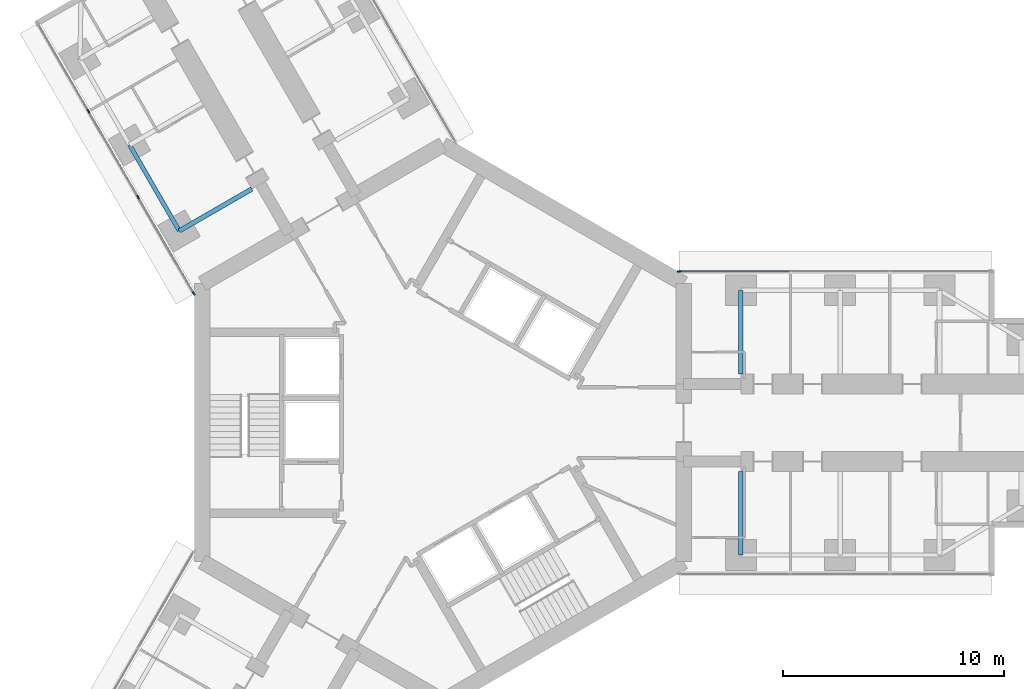
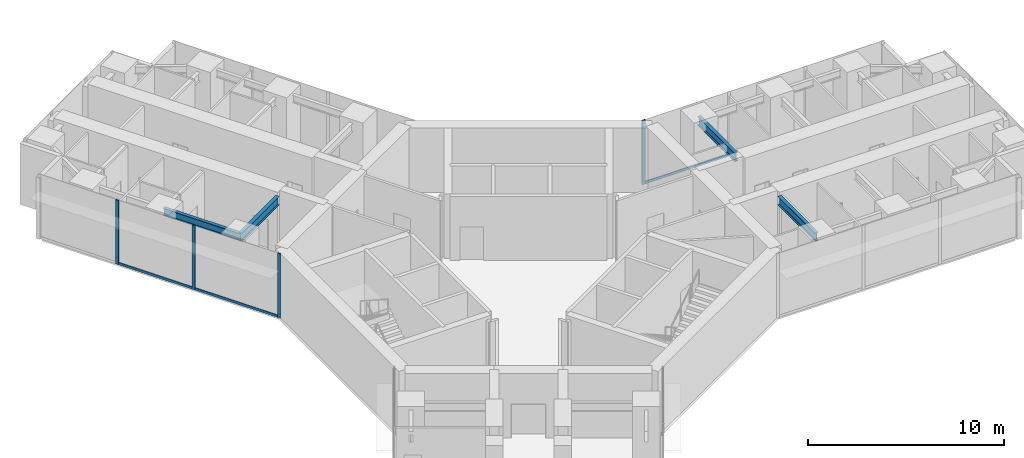
# One storey, part 6 of 25: 7 members, 4 beams, 2 elements without a shape of their own.
"""IFC4 building model written with IfcOpenShell, lengths in metres."""

from ifc_helpers import new_model, si_unit, direction, frame, origin, origin_2d, place, context, subcontext, project, spatial, rectangle, i_section, extrude, material, material_profile, profile_set, type_object, element, aggregate, save


model = new_model("IFC4")

# Units and contexts
model_context = context("Model", 3, precision=1e-05, world=origin(), true_north=direction((0.0, 1.0)))
body_context = subcontext(model_context, "Body", "Model", "MODEL_VIEW")
ifc_project = project(units=[si_unit("LENGTHUNIT", "METRE"), si_unit("AREAUNIT", "SQUARE_METRE"), si_unit("VOLUMEUNIT", "CUBIC_METRE"), si_unit("PLANEANGLEUNIT", "RADIAN"), si_unit("MASSUNIT", "GRAM", prefix="KILO")], contexts=[model_context])

# Site, building, storey
site_placement = place(None, origin())
site = spatial("IfcSite", under=ifc_project, at=site_placement, CompositionType="ELEMENT")
building_placement = place(site_placement, origin())
building = spatial("IfcBuilding", under=site, at=building_placement, Name="Upepo Twin Towers", CompositionType="ELEMENT")
storey_placement = place(building_placement, frame((0.0, 0.0, 76.5)))
storey = spatial("IfcBuildingStorey", under=building, at=storey_placement, Name="L18", CompositionType="ELEMENT", Elevation=76.5)

# Beams
ifc_material_1 = material(Name="Steel S355", Category="steel")
ifc_material_profile_1 = material_profile(ifc_material_1, i_section(OverallWidth=0.1904296875, OverallDepth=0.45703125, WebThickness=0.009033203125, FlangeThickness=0.014404296875, FilletRadius=0.01025390625, at=origin_2d()), Name="UB 457x191x74")
ifc_profile_set_1 = profile_set([ifc_material_profile_1], Name="Steel S355")
beam_type_1 = type_object("IfcBeamType", Name="Beam UB 457x191x74", PredefinedType="BEAM", material=ifc_profile_set_1)
beam_1_placement = place(storey_placement, frame((-11.946044921875, 8.69140625, 3.571533203125), z_axis=(-0.500013631625, 0.866017533419, 0.0), x_axis=(-0.866017533419, -0.500013631625, 0.0)))
element("IfcBeam", 1, at=beam_1_placement, inside=storey, type_object=beam_type_1, Name="T1 edge beam BL 13.5-18.0", PredefinedType="BEAM", context=body_context, shape_type="SweptSolid", body=[
    extrude(i_section(OverallWidth=0.1904296875, OverallDepth=0.45703125, WebThickness=0.009033203125, FlangeThickness=0.014404296875, FilletRadius=0.01025390625, at=origin_2d()), origin(), (0.0, 0.0, 1.0), 4.499755859375),
])
ifc_material_2 = material(Name="Steel S355", Category="steel")
ifc_material_profile_2 = material_profile(ifc_material_2, i_section(OverallWidth=0.209228515625, OverallDepth=0.533203125, WebThickness=0.010009765625, FlangeThickness=0.015625, FilletRadius=0.0126953125, at=origin_2d()), Name="UB 533x210x92")
ifc_profile_set_2 = profile_set([ifc_material_profile_2], Name="Steel S355")
beam_type_2 = type_object("IfcBeamType", Name="Beam UB 533x210x92", PredefinedType="BEAM", material=ifc_profile_set_2)
for number, where, z_axis, x_axis, name in (
    (2, (13.5, 6.0, 3.533447265625), (0.0, -1.0, 0.0), (1.0, 0.0, 0.0), "T1 girder AL at 13.5"),
    (3, (13.5, -6.0, 3.533447265625), (0.0, 1.0, 0.0), (-1.0, 0.0, 0.0), "T1 girder AR at 13.5"),
):
    element("IfcBeam", number, at=place(storey_placement, frame(where, z_axis=z_axis, x_axis=x_axis)), inside=storey, type_object=beam_type_2, Name=name, PredefinedType="BEAM", context=body_context, shape_type="SweptSolid", body=[
        extrude(i_section(OverallWidth=0.209228515625, OverallDepth=0.533203125, WebThickness=0.010009765625, FlangeThickness=0.015625, FilletRadius=0.0126953125, at=origin_2d()), origin(), (0.0, 0.0, 1.0), 3.800048828125),
    ])
beam_2_placement = place(storey_placement, frame((-11.946044921875, 8.69140625, 3.533447265625), z_axis=(0.866028304915, 0.499994975061, 0.0), x_axis=(-0.499994975061, 0.866028304915, 0.0)))
element("IfcBeam", 4, at=beam_2_placement, inside=storey, type_object=beam_type_2, Name="T1 girder BL at 13.5", PredefinedType="BEAM", context=body_context, shape_type="SweptSolid", body=[
    extrude(i_section(OverallWidth=0.209228515625, OverallDepth=0.533203125, WebThickness=0.010009765625, FlangeThickness=0.015625, FilletRadius=0.0126953125, at=origin_2d()), origin(), (0.0, 0.0, 1.0), 3.7998046875),
])

# Curtain wall, member
ifc_material_3 = material(Name="Aluminium and fritted glass", Category="aluminium")
curtain_wall_type = type_object("IfcCurtainWallType", Name="Tower curtain wall TW1, fritted glass", PredefinedType="NOTDEFINED", material=ifc_material_3)
curtain_wall_1_placement = place(storey_placement, origin())
curtain_wall_1 = element("IfcCurtainWall", 5, at=curtain_wall_1_placement, inside=storey, type_object=curtain_wall_type, Name="T1 L18 wing A flank L curtain wall", PredefinedType="NOTDEFINED")
ifc_material_4 = material(Name="Aluminium mullion", Category="aluminium")
ifc_material_profile_3 = material_profile(ifc_material_4, rectangle(XDim=0.06494140625, YDim=0.179931640625, at=origin_2d()), Name="MULLION 65x180")
ifc_profile_set_3 = profile_set([ifc_material_profile_3], Name="Aluminium mullion")
member_type_1 = type_object("IfcMemberType", Name="Mullion 65x180 TW1", PredefinedType="MULLION", material=ifc_profile_set_3)
member_1_placement = place(storey_placement, frame((10.7197265625, 6.85009765625, 0.0), z_axis=(0.0, 0.0, 1.0), x_axis=(0.0, 1.0, 0.0)))
member_1 = element("IfcMember", 6, at=member_1_placement, type_object=member_type_1, Name="T1 L18 wing A flank L curtain wall mullion 1", PredefinedType="MULLION", context=body_context, shape_type="SweptSolid", body=[
    extrude(rectangle(XDim=0.06494140625, YDim=0.179931640625, at=origin_2d()), origin(), (0.0, 0.0, 1.0), 4.0),
])

# Curtain wall, members
curtain_wall_2_placement = place(storey_placement, origin())
curtain_wall_2 = element("IfcCurtainWall", 7, at=curtain_wall_2_placement, inside=storey, type_object=curtain_wall_type, Name="T1 L18 wing B flank L curtain wall", PredefinedType="NOTDEFINED")
member_2_placement = place(storey_placement, frame((-11.2919921875, 5.8583984375, 0.0), z_axis=(0.0, 0.0, 1.0), x_axis=(-0.866025389682, -0.500000024426, 0.0)))
member_2 = element("IfcMember", 8, at=member_2_placement, type_object=member_type_1, Name="T1 L18 wing B flank L curtain wall mullion 1", PredefinedType="MULLION", context=body_context, shape_type="SweptSolid", body=[
    extrude(rectangle(XDim=0.06494140625, YDim=0.179931640625, at=origin_2d()), origin(), (0.0, 0.0, 1.0), 4.0),
])
member_3_placement = place(storey_placement, frame((-13.807373046875, 10.21484375, 0.0), z_axis=(0.0, 0.0, 1.0), x_axis=(-0.866025389682, -0.500000024426, 0.0)))
member_3 = element("IfcMember", 9, at=member_3_placement, type_object=member_type_1, Name="T1 L18 wing B flank L curtain wall mullion 2", PredefinedType="MULLION", context=body_context, shape_type="SweptSolid", body=[
    extrude(rectangle(XDim=0.06494140625, YDim=0.179931640625, at=origin_2d()), origin(), (0.0, 0.0, 1.0), 4.0),
])
member_4_placement = place(storey_placement, frame((-16.057373046875, 14.112060546875, 0.0), z_axis=(0.0, 0.0, 1.0), x_axis=(-0.866025389682, -0.500000024426, 0.0)))
member_4 = element("IfcMember", 10, at=member_4_placement, type_object=member_type_1, Name="T1 L18 wing B flank L curtain wall mullion 3", PredefinedType="MULLION", context=body_context, shape_type="SweptSolid", body=[
    extrude(rectangle(XDim=0.06494140625, YDim=0.179931640625, at=origin_2d()), origin(), (0.0, 0.0, 1.0), 4.0),
])

# Member
ifc_material_5 = material(Name="Aluminium transom", Category="aluminium")
ifc_material_profile_4 = material_profile(ifc_material_5, rectangle(XDim=0.06494140625, YDim=0.14990234375, at=origin_2d()), Name="TRANSOM 65x150")
ifc_profile_set_4 = profile_set([ifc_material_profile_4], Name="Aluminium transom")
member_type_2 = type_object("IfcMemberType", Name="Transom 65x150 TW1", PredefinedType="USERDEFINED", material=ifc_profile_set_4)
member_5_placement = place(storey_placement, frame((10.752197265625, 6.85009765625, 0.074951171875), z_axis=(1.0, 0.0, 0.0), x_axis=(0.0, 1.0, 0.0)))
member_5 = element("IfcMember", 11, at=member_5_placement, type_object=member_type_2, Name="T1 L18 wing A flank L curtain wall transom 1", ObjectType="TRANSOM", PredefinedType="USERDEFINED", context=body_context, shape_type="SweptSolid", body=[
    extrude(rectangle(XDim=0.06494140625, YDim=0.14990234375, at=origin_2d()), origin(), (0.0, 0.0, 1.0), 4.96533203125),
])

aggregate(curtain_wall_1, [member_1, member_5])

member_6_placement = place(storey_placement, frame((-11.308349609375, 5.88671875, 0.074951171875), z_axis=(-0.50000478328, 0.866022642139, 0.0), x_axis=(-0.866022642139, -0.50000478328, 0.0)))
member_6 = element("IfcMember", 12, at=member_6_placement, type_object=member_type_2, Name="T1 L18 wing B flank L curtain wall transom 1", ObjectType="TRANSOM", PredefinedType="USERDEFINED", context=body_context, shape_type="SweptSolid", body=[
    extrude(rectangle(XDim=0.06494140625, YDim=0.14990234375, at=origin_2d()), origin(), (0.0, 0.0, 1.0), 4.96533203125),
])

member_7_placement = place(storey_placement, frame((-13.823486328125, 10.2431640625, 0.074951171875), z_axis=(-0.500005184116, 0.866022410713, 0.0), x_axis=(-0.866022410713, -0.500005184116, 0.0)))
member_7 = element("IfcMember", 13, at=member_7_placement, type_object=member_type_2, Name="T1 L18 wing B flank L curtain wall transom 2", ObjectType="TRANSOM", PredefinedType="USERDEFINED", context=body_context, shape_type="SweptSolid", body=[
    extrude(rectangle(XDim=0.06494140625, YDim=0.14990234375, at=origin_2d()), origin(), (0.0, 0.0, 1.0), 4.43505859375),
])

aggregate(curtain_wall_2, [member_2, member_3, member_4, member_6, member_7])

save(model, "model.ifc")
